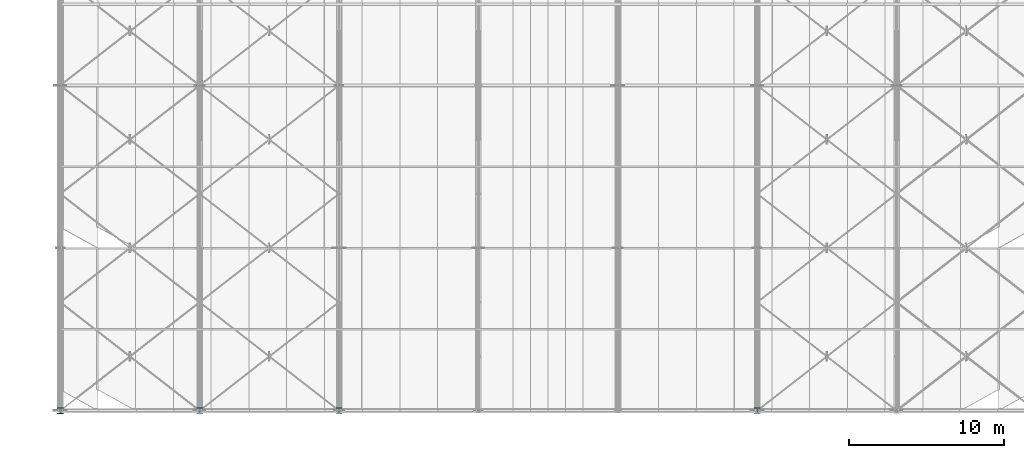
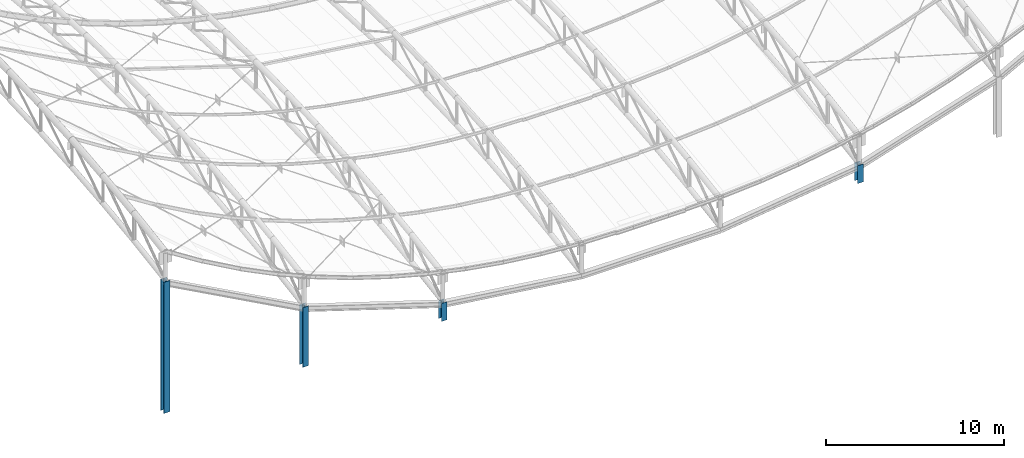
# One storey, part 1 of 262: 4 columns.
"""IFC4 building model written with IfcOpenShell, lengths in metres."""

from ifc_helpers import new_model, si_unit, derived_unit, direction, frame, origin, origin_2d, place, context, subcontext, project, spatial, i_section, extrude, material, material_profile, profile_set, type_object, element, save


model = new_model("IFC4")

# Units and contexts
model_context = context("Model", 3, precision=1e-05, world=origin(), true_north=direction((0.0, 1.0)))
body_context = subcontext(model_context, "Body", "Model", "MODEL_VIEW")
ifc_project = project(units=[si_unit("LENGTHUNIT", "METRE"), si_unit("AREAUNIT", "SQUARE_METRE"), si_unit("VOLUMEUNIT", "CUBIC_METRE"), si_unit("PLANEANGLEUNIT", "RADIAN"), si_unit("MASSUNIT", "GRAM", prefix="KILO"), derived_unit("THERMALTRANSMITTANCEUNIT", [(si_unit("POWERUNIT", "WATT"), 1), (si_unit("LENGTHUNIT", "METRE"), -2), (si_unit("THERMODYNAMICTEMPERATUREUNIT", "KELVIN"), -1)])], contexts=[model_context])

# Site, building, storey
site_placement = place(None, origin())
site = spatial("IfcSite", under=ifc_project, at=site_placement, CompositionType="ELEMENT")
building_placement = place(site_placement, origin())
building = spatial("IfcBuilding", under=site, at=building_placement, Name="Almenara Railside Exhibition Hall", CompositionType="ELEMENT")
storey_placement = place(building_placement, frame((0.0, 0.0, 21.699951171875)))
storey = spatial("IfcBuildingStorey", under=building, at=storey_placement, Name="RF", CompositionType="ELEMENT", Elevation=21.699951171875)

# Columns
ifc_material = material(Name="Structural steel S355JR", Category="steel")
ifc_material_profile_1 = material_profile(ifc_material, i_section(OverallWidth=0.37060546875, OverallDepth=0.362060546875, WebThickness=0.01220703125, FlangeThickness=0.020751953125, FilletRadius=0.01513671875, at=origin_2d()), Name="UC 356x368x153")
ifc_profile_set_1 = profile_set([ifc_material_profile_1], Name="Structural steel S355JR")
column_type_1 = type_object("IfcColumnType", Name="Steel Column UC 356x368x153 S355JR", PredefinedType="COLUMN", material=ifc_profile_set_1)
for number, where, z_axis, x_axis, name in (
    (1, (21.0, 0.0, -10.0), (0.0, 0.0, 1.0), (1.0, 0.0, 0.0), "V4 scroll portal column 3"),
    (2, (48.0, 0.0, -10.0), (0.0, 0.0, 1.0), (1.0, 0.0, 0.0), "V4 scroll portal column 6"),
):
    element("IfcColumn", number, at=place(storey_placement, frame(where, z_axis=z_axis, x_axis=x_axis)), inside=storey, type_object=column_type_1, Name=name, PredefinedType="COLUMN", context=body_context, shape_type="SweptSolid", body=[
        extrude(i_section(OverallWidth=0.37060546875, OverallDepth=0.362060546875, WebThickness=0.01220703125, FlangeThickness=0.020751953125, FilletRadius=0.01513671875, at=origin_2d()), origin(), (0.0, 0.0, 1.0), 1.2294921875),
    ])
ifc_material_profile_2 = material_profile(ifc_material, i_section(OverallWidth=0.37255859375, OverallDepth=0.3681640625, WebThickness=0.014404296875, FlangeThickness=0.023681640625, FilletRadius=0.01513671875, at=origin_2d()), Name="UC 356x368x177")
ifc_profile_set_2 = profile_set([ifc_material_profile_2], Name="Structural steel S355JR")
column_type_2 = type_object("IfcColumnType", Name="Steel Column UC 356x368x177 S355JR", PredefinedType="COLUMN", material=ifc_profile_set_2)
column_1_placement = place(storey_placement, frame((12.0, 0.0, -10.0), z_axis=(0.0, 0.0, 1.0), x_axis=(1.0, 0.0, 0.0)))
element("IfcColumn", 3, at=column_1_placement, inside=storey, type_object=column_type_2, Name="V4 scroll portal column 2", PredefinedType="COLUMN", context=body_context, shape_type="SweptSolid", body=[
    extrude(i_section(OverallWidth=0.37255859375, OverallDepth=0.3681640625, WebThickness=0.014404296875, FlangeThickness=0.023681640625, FilletRadius=0.01513671875, at=origin_2d()), origin(), (0.0, 0.0, 1.0), 4.100830078125),
])
ifc_material_profile_3 = material_profile(ifc_material, i_section(OverallWidth=0.394775390625, OverallDepth=0.381103515625, WebThickness=0.018310546875, FlangeThickness=0.0302734375, FilletRadius=0.01513671875, at=origin_2d()), Name="UC 356x406x235")
ifc_profile_set_3 = profile_set([ifc_material_profile_3], Name="Structural steel S355JR")
column_type_3 = type_object("IfcColumnType", Name="Steel Column UC 356x406x235 S355JR", PredefinedType="COLUMN", material=ifc_profile_set_3)
column_2_placement = place(storey_placement, frame((3.0, 0.0, -10.0), z_axis=(0.0, 0.0, 1.0), x_axis=(1.0, 0.0, 0.0)))
element("IfcColumn", 4, at=column_2_placement, inside=storey, type_object=column_type_3, Name="V4 scroll portal column 1", PredefinedType="COLUMN", context=body_context, shape_type="SweptSolid", body=[
    extrude(i_section(OverallWidth=0.394775390625, OverallDepth=0.381103515625, WebThickness=0.018310546875, FlangeThickness=0.0302734375, FilletRadius=0.01513671875, at=origin_2d()), origin(), (0.0, 0.0, 1.0), 9.0),
])

save(model, "model.ifc")
